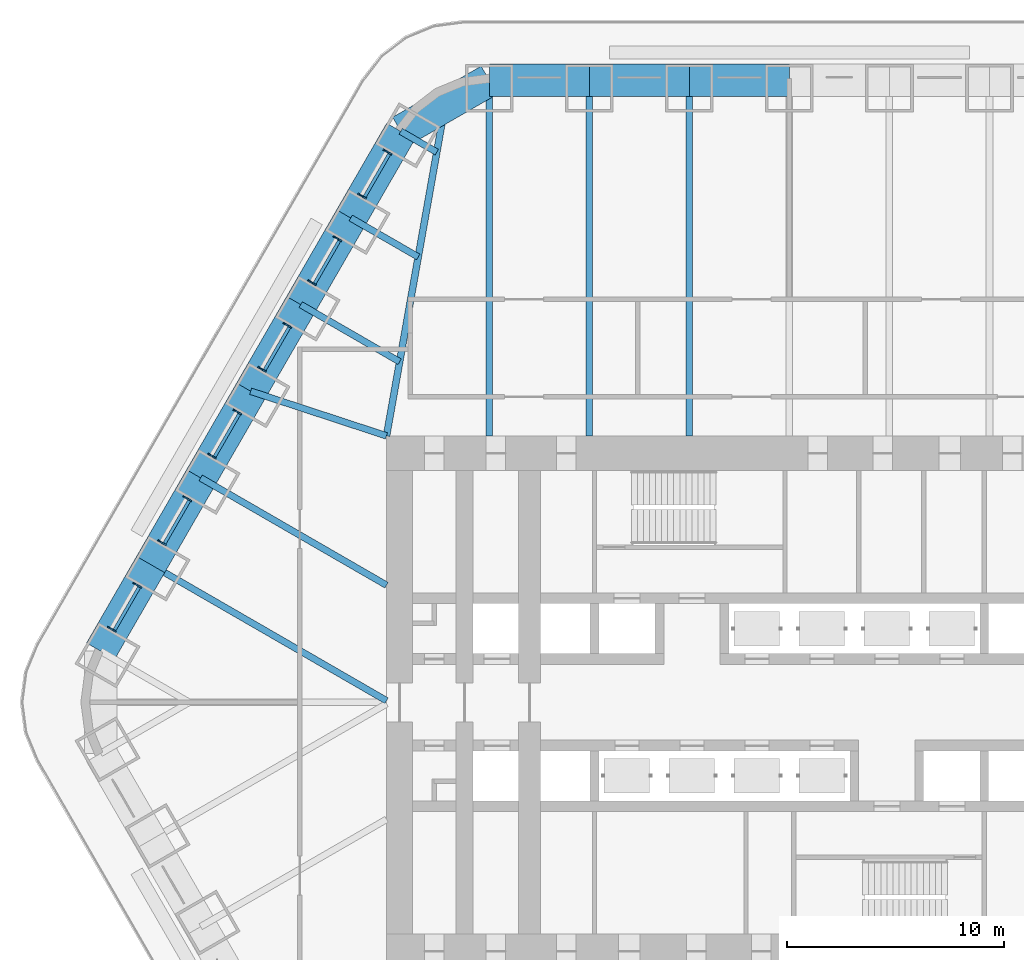
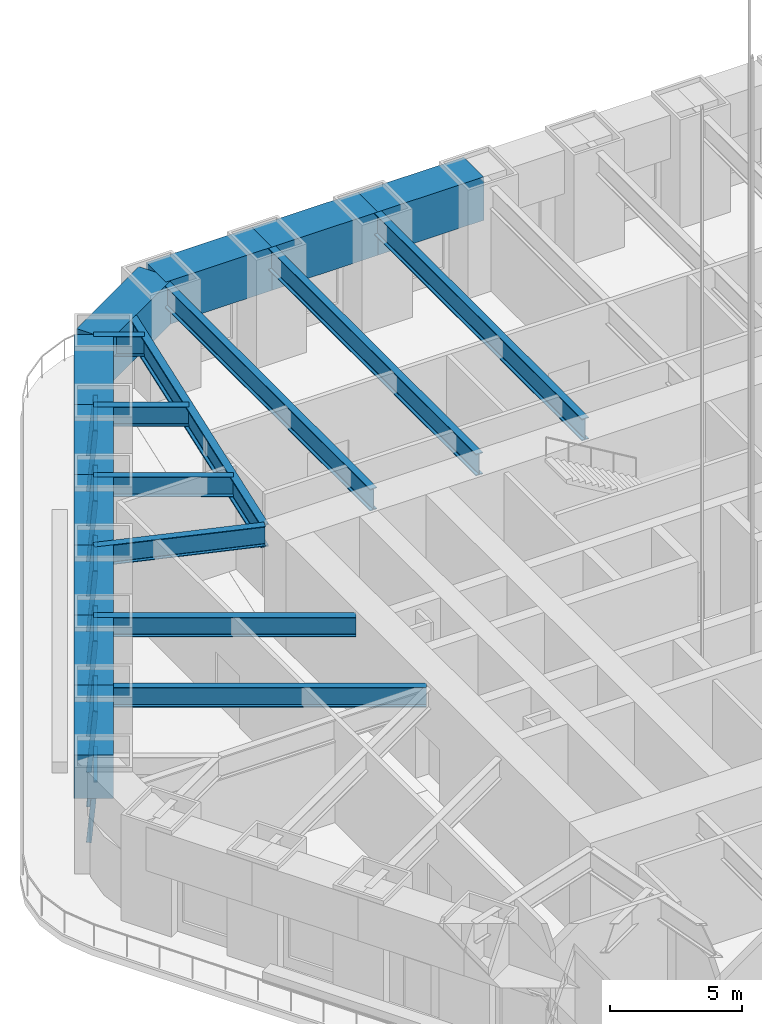
# One storey, part 4 of 15: 20 beams, 18 members, 6 elements without a shape of their own.
"""IFC4 building model written with IfcOpenShell, lengths in metres."""

from ifc_helpers import new_model, si_unit, direction, frame, origin, origin_2d, place, context, subcontext, project, spatial, rectangle, i_section, extrude, material, material_profile, profile_set, type_object, element, aggregate, save


model = new_model("IFC4")

# Units and contexts
model_context = context("Model", 3, precision=1e-05, world=origin(), true_north=direction((0.0, 1.0)))
body_context = subcontext(model_context, "Body", "Model", "MODEL_VIEW")
ifc_project = project(units=[si_unit("LENGTHUNIT", "METRE"), si_unit("AREAUNIT", "SQUARE_METRE"), si_unit("VOLUMEUNIT", "CUBIC_METRE"), si_unit("PLANEANGLEUNIT", "RADIAN"), si_unit("MASSUNIT", "GRAM", prefix="KILO")], contexts=[model_context])

# Site, building, storey
site_placement = place(None, origin())
site = spatial("IfcSite", under=ifc_project, at=site_placement, CompositionType="ELEMENT")
building_placement = place(site_placement, origin())
building = spatial("IfcBuilding", under=site, at=building_placement, Name="Tarfa Lantern Tower", CompositionType="ELEMENT")
storey_placement = place(building_placement, frame((0.0, 0.0, 210.5)))
storey = spatial("IfcBuildingStorey", under=building, at=storey_placement, Name="L47", CompositionType="ELEMENT", Elevation=210.5)

# Curtain wall, members
ifc_material_1 = material(Name="Aluminium framed curtain wall", Category="aluminium")
curtain_wall_type = type_object("IfcCurtainWallType", Name="CW5 CANTED GLAZING SKY LOBBY 2800", PredefinedType="USERDEFINED", material=ifc_material_1)
curtain_wall_1_placement = place(storey_placement, origin())
curtain_wall_1 = element("IfcCurtainWall", 1, at=curtain_wall_1_placement, inside=storey, type_object=curtain_wall_type, Name="CW5 NW L47", ObjectType="CURTAIN WALL", PredefinedType="USERDEFINED")
ifc_material_2 = material(Name="Aluminium mullion", Category="aluminium")
ifc_material_profile_1 = material_profile(ifc_material_2, rectangle(XDim=0.06494140625, YDim=0.199951171875, at=origin_2d()), Name="AL MULLION 65x200")
ifc_profile_set_1 = profile_set([ifc_material_profile_1], Name="Aluminium mullion")
member_type_1 = type_object("IfcMemberType", Name="CWM1 MULLION 65x200", PredefinedType="MULLION", material=ifc_profile_set_1)
member_1_placement = place(storey_placement, frame((-18.666259765625, 25.46923828125, 0.0), z_axis=(0.077032386753, -0.044465143199, 0.996036576854), x_axis=(0.499919672301, 0.866071776036, 0.0)))
member_1 = element("IfcMember", 2, at=member_1_placement, type_object=member_type_1, Name="CW5 mullion 1", PredefinedType="MULLION", context=body_context, shape_type="SweptSolid", body=[
    extrude(rectangle(XDim=0.06494140625, YDim=0.199951171875, at=origin_2d()), origin(), (0.0, 0.0, 1.0), 2.811279296875),
])
member_2_placement = place(storey_placement, frame((-19.843017578125, 23.4306640625, 0.0), z_axis=(0.077032386753, -0.044465143199, 0.996036576854), x_axis=(0.499919672301, 0.866071776036, 0.0)))
member_2 = element("IfcMember", 3, at=member_2_placement, type_object=member_type_1, Name="CW5 mullion 2", PredefinedType="MULLION", context=body_context, shape_type="SweptSolid", body=[
    extrude(rectangle(XDim=0.06494140625, YDim=0.199951171875, at=origin_2d()), origin(), (0.0, 0.0, 1.0), 2.811279296875),
])

curtain_wall_2_placement = place(storey_placement, origin())
curtain_wall_2 = element("IfcCurtainWall", 4, at=curtain_wall_2_placement, inside=storey, type_object=curtain_wall_type, Name="CW5 NW L47", ObjectType="CURTAIN WALL", PredefinedType="USERDEFINED")
member_3_placement = place(storey_placement, frame((-20.9755859375, 21.46923828125, 0.0), z_axis=(0.077032386753, -0.044465143199, 0.996036576854), x_axis=(0.499919672301, 0.866071776036, 0.0)))
member_3 = element("IfcMember", 5, at=member_3_placement, type_object=member_type_1, Name="CW5 mullion 1", PredefinedType="MULLION", context=body_context, shape_type="SweptSolid", body=[
    extrude(rectangle(XDim=0.06494140625, YDim=0.199951171875, at=origin_2d()), origin(), (0.0, 0.0, 1.0), 2.811279296875),
])
member_4_placement = place(storey_placement, frame((-22.152587890625, 19.4306640625, 0.0), z_axis=(0.077032386753, -0.044465143199, 0.996036576854), x_axis=(0.499919672301, 0.866071776036, 0.0)))
member_4 = element("IfcMember", 6, at=member_4_placement, type_object=member_type_1, Name="CW5 mullion 2", PredefinedType="MULLION", context=body_context, shape_type="SweptSolid", body=[
    extrude(rectangle(XDim=0.06494140625, YDim=0.199951171875, at=origin_2d()), origin(), (0.0, 0.0, 1.0), 2.811279296875),
])

curtain_wall_3_placement = place(storey_placement, origin())
curtain_wall_3 = element("IfcCurtainWall", 7, at=curtain_wall_3_placement, inside=storey, type_object=curtain_wall_type, Name="CW5 NW L47", ObjectType="CURTAIN WALL", PredefinedType="USERDEFINED")
member_5_placement = place(storey_placement, frame((-23.284912109375, 17.46923828125, 0.0), z_axis=(0.077032386753, -0.044465143199, 0.996036576854), x_axis=(0.499919672301, 0.866071776036, 0.0)))
member_5 = element("IfcMember", 8, at=member_5_placement, type_object=member_type_1, Name="CW5 mullion 1", PredefinedType="MULLION", context=body_context, shape_type="SweptSolid", body=[
    extrude(rectangle(XDim=0.06494140625, YDim=0.199951171875, at=origin_2d()), origin(), (0.0, 0.0, 1.0), 2.811279296875),
])
member_6_placement = place(storey_placement, frame((-24.4619140625, 15.4306640625, 0.0), z_axis=(0.077032386753, -0.044465143199, 0.996036576854), x_axis=(0.499919672301, 0.866071776036, 0.0)))
member_6 = element("IfcMember", 9, at=member_6_placement, type_object=member_type_1, Name="CW5 mullion 2", PredefinedType="MULLION", context=body_context, shape_type="SweptSolid", body=[
    extrude(rectangle(XDim=0.06494140625, YDim=0.199951171875, at=origin_2d()), origin(), (0.0, 0.0, 1.0), 2.811279296875),
])

curtain_wall_4_placement = place(storey_placement, origin())
curtain_wall_4 = element("IfcCurtainWall", 10, at=curtain_wall_4_placement, inside=storey, type_object=curtain_wall_type, Name="CW5 NW L47", ObjectType="CURTAIN WALL", PredefinedType="USERDEFINED")
member_7_placement = place(storey_placement, frame((-25.594482421875, 13.46923828125, 0.0), z_axis=(0.077032386753, -0.044465143199, 0.996036576854), x_axis=(0.499919672301, 0.866071776036, 0.0)))
member_7 = element("IfcMember", 11, at=member_7_placement, type_object=member_type_1, Name="CW5 mullion 1", PredefinedType="MULLION", context=body_context, shape_type="SweptSolid", body=[
    extrude(rectangle(XDim=0.06494140625, YDim=0.199951171875, at=origin_2d()), origin(), (0.0, 0.0, 1.0), 2.811279296875),
])
member_8_placement = place(storey_placement, frame((-26.771240234375, 11.4306640625, 0.0), z_axis=(0.077032386753, -0.044465143199, 0.996036576854), x_axis=(0.499919672301, 0.866071776036, 0.0)))
member_8 = element("IfcMember", 12, at=member_8_placement, type_object=member_type_1, Name="CW5 mullion 2", PredefinedType="MULLION", context=body_context, shape_type="SweptSolid", body=[
    extrude(rectangle(XDim=0.06494140625, YDim=0.199951171875, at=origin_2d()), origin(), (0.0, 0.0, 1.0), 2.811279296875),
])

curtain_wall_5_placement = place(storey_placement, origin())
curtain_wall_5 = element("IfcCurtainWall", 13, at=curtain_wall_5_placement, inside=storey, type_object=curtain_wall_type, Name="CW5 NW L47", ObjectType="CURTAIN WALL", PredefinedType="USERDEFINED")
member_9_placement = place(storey_placement, frame((-27.90380859375, 9.46923828125, 0.0), z_axis=(0.077032386753, -0.044465143199, 0.996036576854), x_axis=(0.499919672301, 0.866071776036, 0.0)))
member_9 = element("IfcMember", 14, at=member_9_placement, type_object=member_type_1, Name="CW5 mullion 1", PredefinedType="MULLION", context=body_context, shape_type="SweptSolid", body=[
    extrude(rectangle(XDim=0.06494140625, YDim=0.199951171875, at=origin_2d()), origin(), (0.0, 0.0, 1.0), 2.811279296875),
])
member_10_placement = place(storey_placement, frame((-29.08056640625, 7.4306640625, 0.0), z_axis=(0.076946055247, -0.044465440504, 0.996043236603), x_axis=(0.500342721131, 0.865827443207, 0.0)))
member_10 = element("IfcMember", 15, at=member_10_placement, type_object=member_type_1, Name="CW5 mullion 2", PredefinedType="MULLION", context=body_context, shape_type="SweptSolid", body=[
    extrude(rectangle(XDim=0.06494140625, YDim=0.199951171875, at=origin_2d()), origin(), (0.0, 0.0, 1.0), 2.811279296875),
])

curtain_wall_6_placement = place(storey_placement, origin())
curtain_wall_6 = element("IfcCurtainWall", 16, at=curtain_wall_6_placement, inside=storey, type_object=curtain_wall_type, Name="CW5 NW L47", ObjectType="CURTAIN WALL", PredefinedType="USERDEFINED")
member_11_placement = place(storey_placement, frame((-30.213134765625, 5.46923828125, 0.0), z_axis=(0.077032386753, -0.044465143199, 0.996036576854), x_axis=(0.499919672301, 0.866071776036, 0.0)))
member_11 = element("IfcMember", 17, at=member_11_placement, type_object=member_type_1, Name="CW5 mullion 1", PredefinedType="MULLION", context=body_context, shape_type="SweptSolid", body=[
    extrude(rectangle(XDim=0.06494140625, YDim=0.199951171875, at=origin_2d()), origin(), (0.0, 0.0, 1.0), 2.811279296875),
])
member_12_placement = place(storey_placement, frame((-31.39013671875, 3.4306640625, 0.0), z_axis=(0.077032386753, -0.044465143199, 0.996036576854), x_axis=(0.499919672301, 0.866071776036, 0.0)))
member_12 = element("IfcMember", 18, at=member_12_placement, type_object=member_type_1, Name="CW5 mullion 2", PredefinedType="MULLION", context=body_context, shape_type="SweptSolid", body=[
    extrude(rectangle(XDim=0.06494140625, YDim=0.199951171875, at=origin_2d()), origin(), (0.0, 0.0, 1.0), 2.811279296875),
])

# Member
ifc_material_3 = material(Name="Aluminium transom", Category="aluminium")
ifc_material_profile_2 = material_profile(ifc_material_3, rectangle(XDim=0.14990234375, YDim=0.06494140625, at=origin_2d()), Name="AL TRANSOM 150x65")
ifc_profile_set_2 = profile_set([ifc_material_profile_2], Name="Aluminium transom")
member_type_2 = type_object("IfcMemberType", Name="CWT1 TRANSOM 150x65", PredefinedType="USERDEFINED", material=ifc_profile_set_2)
member_13_placement = place(storey_placement, frame((-18.468505859375, 25.317626953125, 2.767578125), z_axis=(-0.499959451571, -0.866048813165, 0.0), x_axis=(0.866048813165, -0.499959451571, 0.0)))
member_13 = element("IfcMember", 19, at=member_13_placement, type_object=member_type_2, Name="CW5 transom 1.2", ObjectType="TRANSOM", PredefinedType="USERDEFINED", context=body_context, shape_type="SweptSolid", body=[
    extrude(rectangle(XDim=0.14990234375, YDim=0.06494140625, at=origin_2d()), origin(), (0.0, 0.0, 1.0), 2.288818359375),
])

aggregate(curtain_wall_1, [member_1, member_2, member_13])

member_14_placement = place(storey_placement, frame((-20.77783203125, 21.317626953125, 2.767578125), z_axis=(-0.499959451571, -0.866048813165, 0.0), x_axis=(0.866048813165, -0.499959451571, 0.0)))
member_14 = element("IfcMember", 20, at=member_14_placement, type_object=member_type_2, Name="CW5 transom 1.2", ObjectType="TRANSOM", PredefinedType="USERDEFINED", context=body_context, shape_type="SweptSolid", body=[
    extrude(rectangle(XDim=0.14990234375, YDim=0.06494140625, at=origin_2d()), origin(), (0.0, 0.0, 1.0), 2.288818359375),
])

aggregate(curtain_wall_2, [member_3, member_4, member_14])

member_15_placement = place(storey_placement, frame((-23.087158203125, 17.317626953125, 2.767578125), z_axis=(-0.500039451542, -0.866002625228, 0.0), x_axis=(0.866002625228, -0.500039451542, 0.0)))
member_15 = element("IfcMember", 21, at=member_15_placement, type_object=member_type_2, Name="CW5 transom 1.2", ObjectType="TRANSOM", PredefinedType="USERDEFINED", context=body_context, shape_type="SweptSolid", body=[
    extrude(rectangle(XDim=0.14990234375, YDim=0.06494140625, at=origin_2d()), origin(), (0.0, 0.0, 1.0), 2.288818359375),
])

aggregate(curtain_wall_3, [member_5, member_6, member_15])

member_16_placement = place(storey_placement, frame((-25.396728515625, 13.317626953125, 2.767578125), z_axis=(-0.499959451571, -0.866048813165, 0.0), x_axis=(0.866048813165, -0.499959451571, 0.0)))
member_16 = element("IfcMember", 22, at=member_16_placement, type_object=member_type_2, Name="CW5 transom 1.2", ObjectType="TRANSOM", PredefinedType="USERDEFINED", context=body_context, shape_type="SweptSolid", body=[
    extrude(rectangle(XDim=0.14990234375, YDim=0.06494140625, at=origin_2d()), origin(), (0.0, 0.0, 1.0), 2.288818359375),
])

aggregate(curtain_wall_4, [member_7, member_8, member_16])

member_17_placement = place(storey_placement, frame((-27.7060546875, 9.317626953125, 2.767578125), z_axis=(-0.499959451571, -0.866048813165, 0.0), x_axis=(0.866048813165, -0.499959451571, 0.0)))
member_17 = element("IfcMember", 23, at=member_17_placement, type_object=member_type_2, Name="CW5 transom 1.2", ObjectType="TRANSOM", PredefinedType="USERDEFINED", context=body_context, shape_type="SweptSolid", body=[
    extrude(rectangle(XDim=0.14990234375, YDim=0.06494140625, at=origin_2d()), origin(), (0.0, 0.0, 1.0), 2.288818359375),
])

aggregate(curtain_wall_5, [member_9, member_10, member_17])

member_18_placement = place(storey_placement, frame((-30.015380859375, 5.317626953125, 2.767578125), z_axis=(-0.500039451542, -0.866002625228, 0.0), x_axis=(0.866002625228, -0.500039451542, 0.0)))
member_18 = element("IfcMember", 24, at=member_18_placement, type_object=member_type_2, Name="CW5 transom 1.2", ObjectType="TRANSOM", PredefinedType="USERDEFINED", context=body_context, shape_type="SweptSolid", body=[
    extrude(rectangle(XDim=0.14990234375, YDim=0.06494140625, at=origin_2d()), origin(), (0.0, 0.0, 1.0), 2.288818359375),
])

aggregate(curtain_wall_6, [member_11, member_12, member_18])

# Beams
ifc_material_4 = material(Name="Concrete C80/95", Category="concrete")
ifc_material_profile_3 = material_profile(ifc_material_4, rectangle(XDim=1.5, YDim=2.0, at=origin_2d()), Name="RC 1500x2000")
ifc_profile_set_3 = profile_set([ifc_material_profile_3], Name="Concrete C80/95")
beam_type_1 = type_object("IfcBeamType", Name="RB3 RC 1500x2000", PredefinedType="BEAM", material=ifc_profile_set_3)
beam_1_placement = place(storey_placement, frame((0.0, 28.719970703125, 3.800048828125), z_axis=(-1.0, 0.0, 0.0), x_axis=(0.0, -1.0, 0.0)))
element("IfcBeam", 25, at=beam_1_placement, inside=storey, type_object=beam_type_1, Name="Edge beam N3", PredefinedType="BEAM", context=body_context, shape_type="SweptSolid", body=[
    extrude(rectangle(XDim=1.5, YDim=2.0, at=origin_2d()), origin(), (0.0, 0.0, 1.0), 4.618896484375),
])
beam_2_placement = place(storey_placement, frame((-4.618896484375, 28.719970703125, 3.800048828125), z_axis=(-1.0, 0.0, 0.0), x_axis=(0.0, -1.0, 0.0)))
element("IfcBeam", 26, at=beam_2_placement, inside=storey, type_object=beam_type_1, Name="Edge beam N4", PredefinedType="BEAM", context=body_context, shape_type="SweptSolid", body=[
    extrude(rectangle(XDim=1.5, YDim=2.0, at=origin_2d()), origin(), (0.0, 0.0, 1.0), 4.61865234375),
])
beam_3_placement = place(storey_placement, frame((-9.237548828125, 28.719970703125, 3.800048828125), z_axis=(-1.0, 0.0, 0.0), x_axis=(0.0, -1.0, 0.0)))
element("IfcBeam", 27, at=beam_3_placement, inside=storey, type_object=beam_type_1, Name="Edge beam N5", PredefinedType="BEAM", context=body_context, shape_type="SweptSolid", body=[
    extrude(rectangle(XDim=1.5, YDim=2.0, at=origin_2d()), origin(), (0.0, 0.0, 1.0), 4.618896484375),
])
beam_4_placement = place(storey_placement, frame((-13.8564453125, 28.719970703125, 3.800048828125), z_axis=(-0.866038294681, -0.499977671647, 0.0), x_axis=(0.499977671647, -0.866038294681, 0.0)))
element("IfcBeam", 28, at=beam_4_placement, inside=storey, type_object=beam_type_1, Name="Edge beam N6", PredefinedType="BEAM", context=body_context, shape_type="SweptSolid", body=[
    extrude(rectangle(XDim=1.5, YDim=2.0, at=origin_2d()), origin(), (0.0, 0.0, 1.0), 4.719970703125),
])
for number, where, z_axis, x_axis, name in (
    (29, (-17.944091796875, 26.360107421875, 3.800048828125), (-0.499987836815, -0.866032426089, 0.0), (0.866032426089, -0.499987836815, 0.0), "Edge beam NW0"),
    (30, (-20.25341796875, 22.360107421875, 3.800048828125), (-0.499987836815, -0.866032426089, 0.0), (0.866032426089, -0.499987836815, 0.0), "Edge beam NW1"),
):
    element("IfcBeam", number, at=place(storey_placement, frame(where, z_axis=z_axis, x_axis=x_axis)), inside=storey, type_object=beam_type_1, Name=name, PredefinedType="BEAM", context=body_context, shape_type="SweptSolid", body=[
        extrude(rectangle(XDim=1.5, YDim=2.0, at=origin_2d()), origin(), (0.0, 0.0, 1.0), 4.61865234375),
    ])
beam_5_placement = place(storey_placement, frame((-22.562744140625, 18.360107421875, 3.800048828125), z_axis=(-0.500027479704, -0.866009537788, 0.0), x_axis=(0.866009537788, -0.500027479704, 0.0)))
element("IfcBeam", 31, at=beam_5_placement, inside=storey, type_object=beam_type_1, Name="Edge beam NW2", PredefinedType="BEAM", context=body_context, shape_type="SweptSolid", body=[
    extrude(rectangle(XDim=1.5, YDim=2.0, at=origin_2d()), origin(), (0.0, 0.0, 1.0), 4.618896484375),
])
for number, where, z_axis, x_axis, name in (
    (32, (-24.872314453125, 14.360107421875, 3.800048828125), (-0.499987836815, -0.866032426089, 0.0), (0.866032426089, -0.499987836815, 0.0), "Edge beam NW3"),
    (33, (-27.181640625, 10.360107421875, 3.800048828125), (-0.499987836815, -0.866032426089, 0.0), (0.866032426089, -0.499987836815, 0.0), "Edge beam NW4"),
):
    element("IfcBeam", number, at=place(storey_placement, frame(where, z_axis=z_axis, x_axis=x_axis)), inside=storey, type_object=beam_type_1, Name=name, PredefinedType="BEAM", context=body_context, shape_type="SweptSolid", body=[
        extrude(rectangle(XDim=1.5, YDim=2.0, at=origin_2d()), origin(), (0.0, 0.0, 1.0), 4.61865234375),
    ])
beam_6_placement = place(storey_placement, frame((-29.490966796875, 6.360107421875, 3.800048828125), z_axis=(-0.500027479704, -0.866009537788, 0.0), x_axis=(0.866009537788, -0.500027479704, 0.0)))
element("IfcBeam", 34, at=beam_6_placement, inside=storey, type_object=beam_type_1, Name="Edge beam NW5", PredefinedType="BEAM", context=body_context, shape_type="SweptSolid", body=[
    extrude(rectangle(XDim=1.5, YDim=2.0, at=origin_2d()), origin(), (0.0, 0.0, 1.0), 4.618896484375),
])
ifc_material_5 = material(Name="Steel S460M", Category="steel")
ifc_material_profile_4 = material_profile(ifc_material_5, i_section(OverallWidth=0.302001953125, OverallDepth=1.008056640625, WebThickness=0.02099609375, FlangeThickness=0.0400390625, FilletRadius=0.030029296875, at=origin_2d()), Name="UB1016x305x349")
ifc_profile_set_4 = profile_set([ifc_material_profile_4], Name="Steel S460M")
beam_type_2 = type_object("IfcBeamType", Name="UB1016x305x349", PredefinedType="BEAM", material=ifc_profile_set_4)
for number, where, z_axis, x_axis, name in (
    (35, (-4.618896484375, 28.719970703125, 4.2958984375), (0.0, -1.0, 0.0), (1.0, 0.0, 0.0), "Floor beam N4"),
    (36, (-9.237548828125, 28.719970703125, 4.2958984375), (0.0, -1.0, 0.0), (1.0, 0.0, 0.0), "Floor beam N5"),
    (37, (-13.8564453125, 28.719970703125, 4.2958984375), (0.0, -1.0, 0.0), (1.0, 0.0, 0.0), "Floor beam N6"),
):
    element("IfcBeam", number, at=place(storey_placement, frame(where, z_axis=z_axis, x_axis=x_axis)), inside=storey, type_object=beam_type_2, Name=name, PredefinedType="BEAM", context=body_context, shape_type="SweptSolid", body=[
        extrude(i_section(OverallWidth=0.302001953125, OverallDepth=1.008056640625, WebThickness=0.02099609375, FlangeThickness=0.0400390625, FilletRadius=0.030029296875, at=origin_2d()), origin(), (0.0, 0.0, 1.0), 16.419921875),
    ])
ifc_material_profile_5 = material_profile(ifc_material_5, i_section(OverallWidth=0.314208984375, OverallDepth=1.055908203125, WebThickness=0.035888671875, FlangeThickness=0.06396484375, FilletRadius=0.030029296875, at=origin_2d()), Name="UB1016x305x584")
ifc_profile_set_5 = profile_set([ifc_material_profile_5], Name="Steel S460M")
beam_type_3 = type_object("IfcBeamType", Name="UB1016x305x584", PredefinedType="BEAM", material=ifc_profile_set_5)
beam_7_placement = place(storey_placement, frame((-18.60009765625, 12.300048828125, 4.27197265625), z_axis=(0.174445795648, 0.984666778347, 0.0), x_axis=(-0.984666778347, 0.174445795648, 0.0)))
element("IfcBeam", 38, at=beam_7_placement, inside=storey, type_object=beam_type_3, Name="Hip girder NW", PredefinedType="BEAM", context=body_context, shape_type="SweptSolid", body=[
    extrude(i_section(OverallWidth=0.314208984375, OverallDepth=1.055908203125, WebThickness=0.035888671875, FlangeThickness=0.06396484375, FilletRadius=0.030029296875, at=origin_2d()), origin(), (0.0, 0.0, 1.0), 15.477294921875),
])
ifc_material_profile_6 = material_profile(ifc_material_5, i_section(OverallWidth=0.305419921875, OverallDepth=0.91845703125, WebThickness=0.017333984375, FlangeThickness=0.02783203125, FilletRadius=0.01904296875, at=origin_2d()), Name="UB914x305x253")
ifc_profile_set_6 = profile_set([ifc_material_profile_6], Name="Steel S460M")
beam_type_4 = type_object("IfcBeamType", Name="UB914x305x253", PredefinedType="BEAM", material=ifc_profile_set_6)
beam_8_placement = place(storey_placement, frame((-17.944091796875, 26.360107421875, 4.3408203125), z_axis=(0.865990979626, -0.500059619652, 0.0), x_axis=(0.500059619652, 0.865990979626, 0.0)))
element("IfcBeam", 39, at=beam_8_placement, inside=storey, type_object=beam_type_4, Name="Floor beam NW0", PredefinedType="BEAM", context=body_context, shape_type="SweptSolid", body=[
    extrude(i_section(OverallWidth=0.305419921875, OverallDepth=0.91845703125, WebThickness=0.017333984375, FlangeThickness=0.02783203125, FilletRadius=0.01904296875, at=origin_2d()), origin(), (0.0, 0.0, 1.0), 1.922119140625),
])
beam_9_placement = place(storey_placement, frame((-20.25341796875, 22.360107421875, 4.3408203125), z_axis=(0.866009351323, -0.500027802648, 0.0), x_axis=(0.500027802648, 0.866009351323, 0.0)))
element("IfcBeam", 40, at=beam_9_placement, inside=storey, type_object=beam_type_4, Name="Floor beam NW1", PredefinedType="BEAM", context=body_context, shape_type="SweptSolid", body=[
    extrude(i_section(OverallWidth=0.305419921875, OverallDepth=0.91845703125, WebThickness=0.017333984375, FlangeThickness=0.02783203125, FilletRadius=0.01904296875, at=origin_2d()), origin(), (0.0, 0.0, 1.0), 3.598876953125),
])
beam_10_placement = place(storey_placement, frame((-22.562744140625, 18.360107421875, 4.3408203125), z_axis=(0.866016044516, -0.500016210377, 0.0), x_axis=(0.500016210377, 0.866016044516, 0.0)))
element("IfcBeam", 41, at=beam_10_placement, inside=storey, type_object=beam_type_4, Name="Floor beam NW2", PredefinedType="BEAM", context=body_context, shape_type="SweptSolid", body=[
    extrude(i_section(OverallWidth=0.305419921875, OverallDepth=0.91845703125, WebThickness=0.017333984375, FlangeThickness=0.02783203125, FilletRadius=0.01904296875, at=origin_2d()), origin(), (0.0, 0.0, 1.0), 5.275634765625),
])
beam_11_placement = place(storey_placement, frame((-24.872314453125, 14.360107421875, 4.3408203125), z_axis=(0.950068246314, -0.312042188408, 0.0), x_axis=(0.312042188408, 0.950068246314, 0.0)))
element("IfcBeam", 42, at=beam_11_placement, inside=storey, type_object=beam_type_4, Name="Floor beam NW3", PredefinedType="BEAM", context=body_context, shape_type="SweptSolid", body=[
    extrude(i_section(OverallWidth=0.305419921875, OverallDepth=0.91845703125, WebThickness=0.017333984375, FlangeThickness=0.02783203125, FilletRadius=0.01904296875, at=origin_2d()), origin(), (0.0, 0.0, 1.0), 6.601806640625),
])
beam_12_placement = place(storey_placement, frame((-27.181640625, 10.360107421875, 4.3408203125), z_axis=(0.866013262469, -0.500021028785, 0.0), x_axis=(0.500021028785, 0.866013262469, 0.0)))
element("IfcBeam", 43, at=beam_12_placement, inside=storey, type_object=beam_type_4, Name="Floor beam NW4", PredefinedType="BEAM", context=body_context, shape_type="SweptSolid", body=[
    extrude(i_section(OverallWidth=0.305419921875, OverallDepth=0.91845703125, WebThickness=0.017333984375, FlangeThickness=0.02783203125, FilletRadius=0.01904296875, at=origin_2d()), origin(), (0.0, 0.0, 1.0), 9.9091796875),
])
beam_13_placement = place(storey_placement, frame((-29.490966796875, 6.360107421875, 4.3408203125), z_axis=(0.866017150015, -0.500014295675, 0.0), x_axis=(0.500014295675, 0.866017150015, 0.0)))
element("IfcBeam", 44, at=beam_13_placement, inside=storey, type_object=beam_type_4, Name="Floor beam NW5", PredefinedType="BEAM", context=body_context, shape_type="SweptSolid", body=[
    extrude(i_section(OverallWidth=0.305419921875, OverallDepth=0.91845703125, WebThickness=0.017333984375, FlangeThickness=0.02783203125, FilletRadius=0.01904296875, at=origin_2d()), origin(), (0.0, 0.0, 1.0), 12.575927734375),
])

save(model, "model.ifc")
